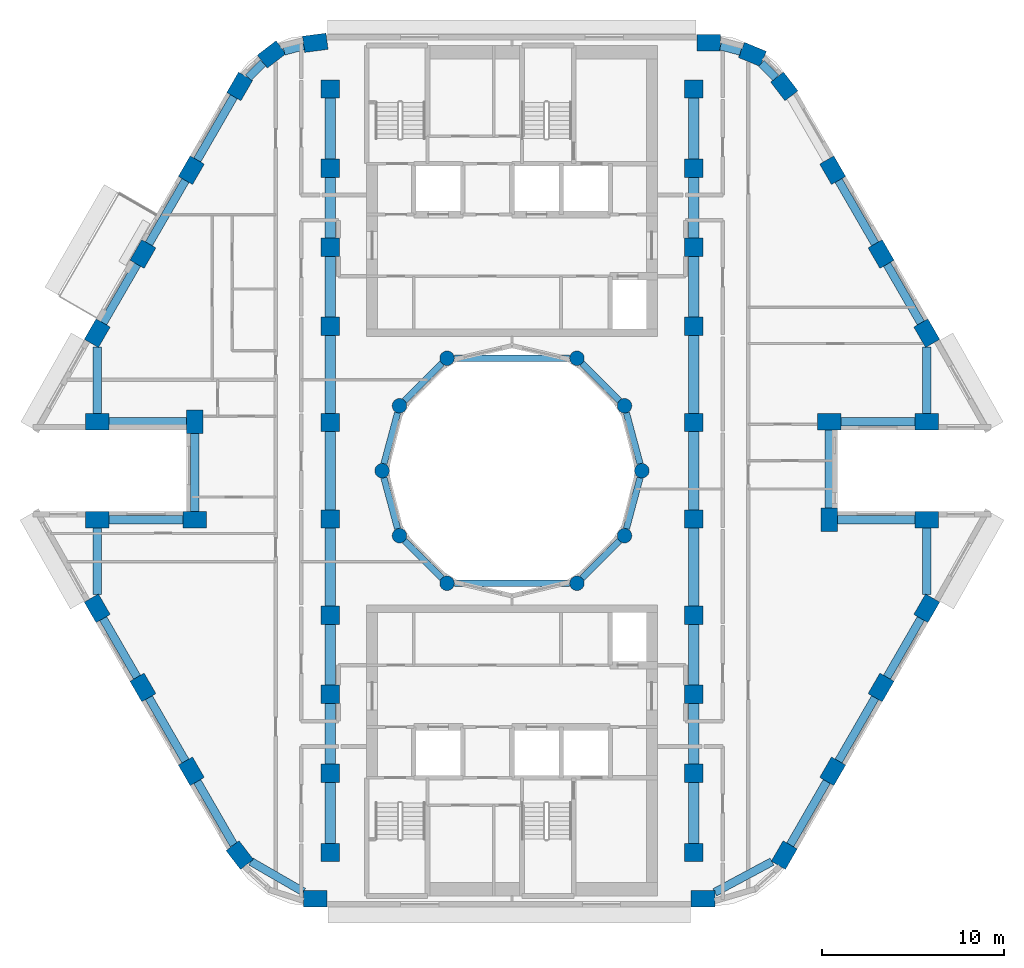
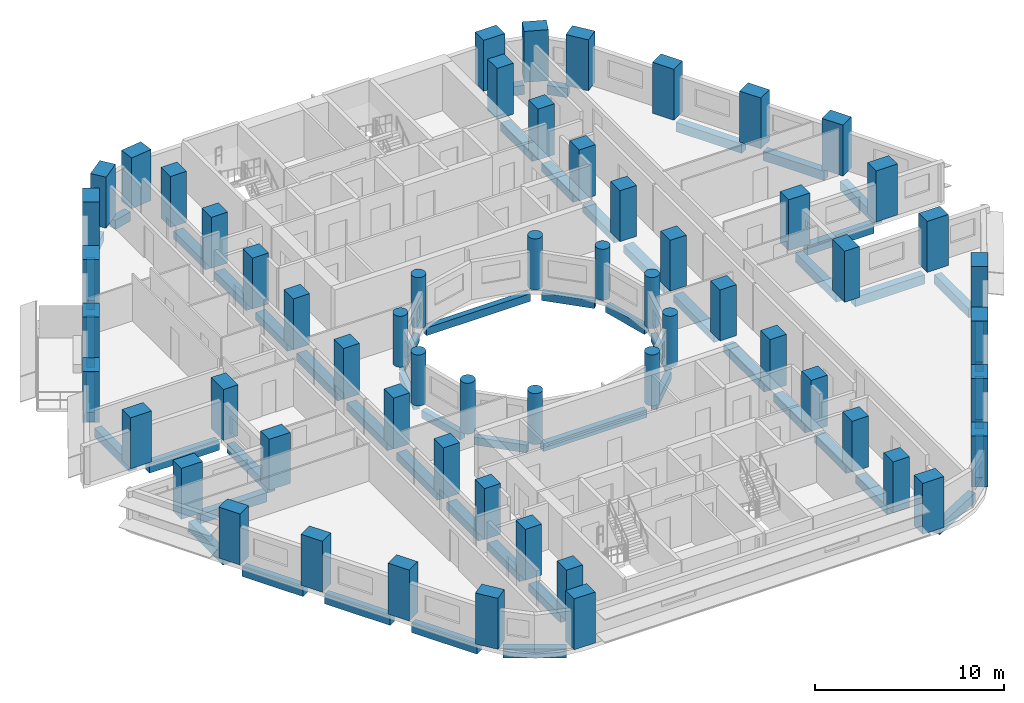
# One storey, part 1 of 13: 60 columns, 55 beams.
"""IFC4 building model written with IfcOpenShell, lengths in metres."""

from ifc_helpers import new_model, si_unit, direction, frame, origin, origin_2d, place, context, subcontext, project, spatial, rectangle, circle, extrude, material, material_profile, profile_set, type_object, element, save


model = new_model("IFC4")

# Units and contexts
model_context = context("Model", 3, precision=1e-05, world=origin(), true_north=direction((0.0, 1.0)))
body_context = subcontext(model_context, "Body", "Model", "MODEL_VIEW")
ifc_project = project(units=[si_unit("LENGTHUNIT", "METRE"), si_unit("AREAUNIT", "SQUARE_METRE"), si_unit("VOLUMEUNIT", "CUBIC_METRE"), si_unit("PLANEANGLEUNIT", "RADIAN"), si_unit("MASSUNIT", "GRAM", prefix="KILO")], contexts=[model_context])

# Site, building, storey
site_placement = place(None, origin())
site = spatial("IfcSite", under=ifc_project, at=site_placement, CompositionType="ELEMENT")
building_placement = place(site_placement, origin())
building = spatial("IfcBuilding", under=site, at=building_placement, Name="Nakaniwa Court", CompositionType="ELEMENT")
storey_placement = place(building_placement, frame((0.0, 0.0, 153.60009765625)))
storey = spatial("IfcBuildingStorey", under=building, at=storey_placement, Name="L40", CompositionType="ELEMENT", Elevation=153.60009765625)

# Columns
ifc_material = material(Name="Concrete C80/100", Category="concrete")
ifc_material_profile_1 = material_profile(ifc_material, rectangle(XDim=1.0, YDim=1.0, at=origin_2d()), Name="Concrete C80/100 RC 1000x1000 spine column")
ifc_profile_set_1 = profile_set([ifc_material_profile_1], Name="Concrete C80/100")
column_type_1 = type_object("IfcColumnType", Name="Concrete C80/100 RC 1000x1000 spine column", PredefinedType="COLUMN", material=ifc_profile_set_1)
for number, where, z_axis, x_axis, name in (
    (1, (90.0, 59.0, 0.0), (0.0, 0.0, 1.0), (0.0, 1.0, 0.0), "COLUMN CS-01"),
    (2, (90.0, 63.35009765625, 0.0), (0.0, 0.0, 1.0), (0.0, 1.0, 0.0), "COLUMN CS-02"),
    (3, (90.0, 67.699951171875, 0.0), (0.0, 0.0, 1.0), (0.0, 1.0, 0.0), "COLUMN CS-03"),
    (4, (90.0, 72.050048828125, 0.0), (0.0, 0.0, 1.0), (0.0, 1.0, 0.0), "COLUMN CS-04"),
    (5, (90.0, 77.35009765625, 0.0), (0.0, 0.0, 1.0), (0.0, 1.0, 0.0), "COLUMN CS-05"),
    (6, (90.0, 82.64990234375, 0.0), (0.0, 0.0, 1.0), (0.0, 1.0, 0.0), "COLUMN CS-06"),
    (7, (90.0, 87.949951171875, 0.0), (0.0, 0.0, 1.0), (0.0, 1.0, 0.0), "COLUMN CS-07"),
    (8, (90.0, 92.300048828125, 0.0), (0.0, 0.0, 1.0), (0.0, 1.0, 0.0), "COLUMN CS-08"),
    (9, (90.0, 96.64990234375, 0.0), (0.0, 0.0, 1.0), (0.0, 1.0, 0.0), "COLUMN CS-09"),
    (10, (90.0, 101.0, 0.0), (0.0, 0.0, 1.0), (0.0, 1.0, 0.0), "COLUMN CS-10"),
    (11, (70.0, 101.0, 0.0), (0.0, 0.0, 1.0), (0.0, -1.0, 0.0), "COLUMN CS-11"),
    (12, (70.0, 96.64990234375, 0.0), (0.0, 0.0, 1.0), (0.0, -1.0, 0.0), "COLUMN CS-12"),
    (13, (70.0, 92.300048828125, 0.0), (0.0, 0.0, 1.0), (0.0, -1.0, 0.0), "COLUMN CS-13"),
    (14, (70.0, 87.949951171875, 0.0), (0.0, 0.0, 1.0), (0.0, -1.0, 0.0), "COLUMN CS-14"),
    (15, (70.0, 82.64990234375, 0.0), (0.0, 0.0, 1.0), (0.0, -1.0, 0.0), "COLUMN CS-15"),
    (16, (70.0, 77.35009765625, 0.0), (0.0, 0.0, 1.0), (0.0, -1.0, 0.0), "COLUMN CS-16"),
    (17, (70.0, 72.050048828125, 0.0), (0.0, 0.0, 1.0), (0.0, -1.0, 0.0), "COLUMN CS-17"),
    (18, (70.0, 67.699951171875, 0.0), (0.0, 0.0, 1.0), (0.0, -1.0, 0.0), "COLUMN CS-18"),
    (19, (70.0, 63.35009765625, 0.0), (0.0, 0.0, 1.0), (0.0, -1.0, 0.0), "COLUMN CS-19"),
    (20, (70.0, 59.0, 0.0), (0.0, 0.0, 1.0), (0.0, -1.0, 0.0), "COLUMN CS-20"),
):
    element("IfcColumn", number, at=place(storey_placement, frame(where, z_axis=z_axis, x_axis=x_axis)), inside=storey, type_object=column_type_1, Name=name, PredefinedType="COLUMN", context=body_context, shape_type="SweptSolid", body=[
        extrude(rectangle(XDim=1.0, YDim=1.0, at=origin_2d()), origin(), (0.0, 0.0, 1.0), 3.2998046875),
    ])
ifc_material_profile_2 = material_profile(ifc_material, rectangle(XDim=1.300048828125, YDim=0.89990234375, at=origin_2d()), Name="Concrete C80/100 RC 1300x900 perimeter column")
ifc_profile_set_2 = profile_set([ifc_material_profile_2], Name="Concrete C80/100")
column_type_2 = type_object("IfcColumnType", Name="Concrete C80/100 RC 1300x900 perimeter column", PredefinedType="COLUMN", material=ifc_profile_set_2)
for number, where, z_axis, x_axis, name in (
    (21, (69.17529296875, 103.550048828125, 0.0), (0.0, 0.0, 1.0), (-0.991442583111, -0.130543496177, 0.0), "COLUMN CO-01"),
    (22, (66.772705078125, 102.91015625, 0.0), (0.0, 0.0, 1.0), (-0.793363965062, -0.608747582288, 0.0), "COLUMN CO-02"),
    (23, (65.017578125, 101.1494140625, 0.0), (0.0, 0.0, 1.0), (-0.5, -0.866025403784, 0.0), "COLUMN CO-03"),
    (24, (62.3544921875, 96.537109375, 0.0), (0.0, 0.0, 1.0), (-0.5, -0.866025403784, 0.0), "COLUMN CO-04"),
    (25, (59.691650390625, 91.9248046875, 0.0), (0.0, 0.0, 1.0), (-0.5, -0.866025403784, 0.0), "COLUMN CO-05"),
    (26, (57.177001953125, 87.569580078125, 0.0), (0.0, 0.0, 1.0), (-0.5, -0.866025403784, 0.0), "COLUMN CO-06"),
    (27, (57.177001953125, 82.699951171875, 0.0), (0.0, 0.0, 1.0), (1.0, 0.0, 0.0), "COLUMN CO-08"),
    (28, (62.54150390625, 82.699951171875, 0.0), (0.0, 0.0, 1.0), (0.0, -1.0, 0.0), "COLUMN CO-09"),
    (29, (62.54150390625, 77.300048828125, 0.0), (0.0, 0.0, 1.0), (-1.0, 0.0, 0.0), "COLUMN CO-10"),
    (30, (57.177001953125, 77.300048828125, 0.0), (0.0, 0.0, 1.0), (-1.0, 0.0, 0.0), "COLUMN CO-11"),
    (31, (57.177001953125, 72.430419921875, 0.0), (0.0, 0.0, 1.0), (0.5, -0.866025403784, 0.0), "COLUMN CO-13"),
    (32, (59.691650390625, 68.0751953125, 0.0), (0.0, 0.0, 1.0), (0.5, -0.866025403784, 0.0), "COLUMN CO-14"),
    (33, (62.3544921875, 63.462890625, 0.0), (0.0, 0.0, 1.0), (0.5, -0.866025403784, 0.0), "COLUMN CO-15"),
    (34, (65.017578125, 58.8505859375, 0.0), (0.0, 0.0, 1.0), (0.608761429009, -0.793353340291, 0.0), "COLUMN CO-16"),
    (35, (69.17529296875, 56.449951171875, 0.0), (0.0, 0.0, 1.0), (1.0, 0.0, 0.0), "COLUMN CO-17"),
    (36, (90.507080078125, 56.449951171875, 0.0), (0.0, 0.0, 1.0), (1.0, 0.0, 0.0), "COLUMN CO-21"),
    (37, (94.982421875, 58.8505859375, 0.0), (0.0, 0.0, 1.0), (0.5, 0.866025403784, 0.0), "COLUMN CO-22"),
    (38, (97.6455078125, 63.462890625, 0.0), (0.0, 0.0, 1.0), (0.5, 0.866025403784, 0.0), "COLUMN CO-23"),
    (39, (100.308349609375, 68.0751953125, 0.0), (0.0, 0.0, 1.0), (0.5, 0.866025403784, 0.0), "COLUMN CO-24"),
    (40, (102.822998046875, 72.430419921875, 0.0), (0.0, 0.0, 1.0), (0.5, 0.866025403784, 0.0), "COLUMN CO-25"),
    (41, (102.822998046875, 77.300048828125, 0.0), (0.0, 0.0, 1.0), (-1.0, 0.0, 0.0), "COLUMN CO-27"),
    (42, (97.45849609375, 77.300048828125, 0.0), (0.0, 0.0, 1.0), (0.0, 1.0, 0.0), "COLUMN CO-28"),
    (43, (97.45849609375, 82.699951171875, 0.0), (0.0, 0.0, 1.0), (1.0, 0.0, 0.0), "COLUMN CO-29"),
    (44, (102.822998046875, 82.699951171875, 0.0), (0.0, 0.0, 1.0), (1.0, 0.0, 0.0), "COLUMN CO-30"),
    (45, (102.822998046875, 87.569580078125, 0.0), (0.0, 0.0, 1.0), (-0.5, 0.866025403784, 0.0), "COLUMN CO-32"),
    (46, (100.308349609375, 91.9248046875, 0.0), (0.0, 0.0, 1.0), (-0.5, 0.866025403784, 0.0), "COLUMN CO-33"),
    (47, (97.6455078125, 96.537109375, 0.0), (0.0, 0.0, 1.0), (-0.5, 0.866025403784, 0.0), "COLUMN CO-34"),
    (48, (94.982421875, 101.1494140625, 0.0), (0.0, 0.0, 1.0), (-0.608761429009, 0.793353340291, 0.0), "COLUMN CO-35"),
    (49, (93.227294921875, 102.91015625, 0.0), (0.0, 0.0, 1.0), (-0.923879532511, 0.382683432365, 0.0), "COLUMN CO-36"),
    (50, (90.82470703125, 103.550048828125, 0.0), (0.0, 0.0, 1.0), (-1.0, 0.0, 0.0), "COLUMN CO-37"),
):
    element("IfcColumn", number, at=place(storey_placement, frame(where, z_axis=z_axis, x_axis=x_axis)), inside=storey, type_object=column_type_2, Name=name, PredefinedType="COLUMN", context=body_context, shape_type="SweptSolid", body=[
        extrude(rectangle(XDim=1.300048828125, YDim=0.89990234375, at=origin_2d()), origin(), (0.0, 0.0, 1.0), 3.2998046875),
    ])
ifc_material_profile_3 = material_profile(ifc_material, circle(Radius=0.39990234375, at=origin_2d()), Name="Concrete C80/100 RC D800 inner ring column")
ifc_profile_set_3 = profile_set([ifc_material_profile_3], Name="Concrete C80/100")
column_type_3 = type_object("IfcColumnType", Name="Concrete C80/100 RC D800 inner ring column", PredefinedType="COLUMN", material=ifc_profile_set_3)
for number, where, z_axis, x_axis, name in (
    (51, (87.14990234375, 80.0, 0.0), (0.0, 0.0, 1.0), (0.0, 1.0, 0.0), "COLUMN CI-01"),
    (52, (86.192138671875, 83.574951171875, 0.0), (0.0, 0.0, 1.0), (-0.5, 0.866025403784, 0.0), "COLUMN CI-02"),
    (53, (83.574951171875, 86.192138671875, 0.0), (0.0, 0.0, 1.0), (-0.866025403784, 0.5, 0.0), "COLUMN CI-03"),
    (54, (76.425048828125, 86.192138671875, 0.0), (0.0, 0.0, 1.0), (-0.866025403784, -0.5, 0.0), "COLUMN CI-05"),
    (55, (73.807861328125, 83.574951171875, 0.0), (0.0, 0.0, 1.0), (-0.5, -0.866025403784, 0.0), "COLUMN CI-06"),
    (56, (72.85009765625, 80.0, 0.0), (0.0, 0.0, 1.0), (0.0, -1.0, 0.0), "COLUMN CI-07"),
    (57, (73.807861328125, 76.425048828125, 0.0), (0.0, 0.0, 1.0), (0.5, -0.866025403784, 0.0), "COLUMN CI-08"),
    (58, (76.425048828125, 73.807861328125, 0.0), (0.0, 0.0, 1.0), (0.866025403784, -0.5, 0.0), "COLUMN CI-09"),
    (59, (83.574951171875, 73.807861328125, 0.0), (0.0, 0.0, 1.0), (0.866025403784, 0.5, 0.0), "COLUMN CI-11"),
    (60, (86.192138671875, 76.425048828125, 0.0), (0.0, 0.0, 1.0), (0.5, 0.866025403784, 0.0), "COLUMN CI-12"),
):
    element("IfcColumn", number, at=place(storey_placement, frame(where, z_axis=z_axis, x_axis=x_axis)), inside=storey, type_object=column_type_3, Name=name, PredefinedType="COLUMN", context=body_context, shape_type="SweptSolid", body=[
        extrude(circle(Radius=0.39990234375, at=origin_2d()), origin(), (0.0, 0.0, 1.0), 3.2998046875),
    ])

# Beams
ifc_material_profile_4 = material_profile(ifc_material, rectangle(XDim=0.35009765625, YDim=0.5, at=origin_2d()), Name="Concrete C80/100 RC 350x500 ring beam")
ifc_profile_set_4 = profile_set([ifc_material_profile_4], Name="Concrete C80/100")
beam_type_1 = type_object("IfcBeamType", Name="Concrete C80/100 RC 350x500 ring beam", PredefinedType="BEAM", material=ifc_profile_set_4)
beam_1_placement = place(storey_placement, frame((87.04638671875, 80.386474609375, -0.525146484375), z_axis=(-0.258778150207, 0.965936783115, 0.0), x_axis=(-0.965936783115, -0.258778150207, 0.0)))
element("IfcBeam", 61, at=beam_1_placement, inside=storey, type_object=beam_type_1, Name="RING BEAM", PredefinedType="BEAM", context=body_context, shape_type="SweptSolid", body=[
    extrude(rectangle(XDim=0.35009765625, YDim=0.5, at=origin_2d()), origin(), (0.0, 0.0, 1.0), 2.901123046875),
])
beam_2_placement = place(storey_placement, frame((85.9091796875, 83.85791015625, -0.525146484375), z_axis=(-0.707106781187, 0.707106781187, 0.0), x_axis=(-0.707106781187, -0.707106781187, 0.0)))
element("IfcBeam", 62, at=beam_2_placement, inside=storey, type_object=beam_type_1, Name="RING BEAM", PredefinedType="BEAM", context=body_context, shape_type="SweptSolid", body=[
    extrude(rectangle(XDim=0.35009765625, YDim=0.5, at=origin_2d()), origin(), (0.0, 0.0, 1.0), 2.90087890625),
])
beam_3_placement = place(storey_placement, frame((83.175048828125, 86.192138671875, -0.525146484375), z_axis=(-1.0, 0.0, 0.0), x_axis=(0.0, -1.0, 0.0)))
element("IfcBeam", 63, at=beam_3_placement, inside=storey, type_object=beam_type_1, Name="RING BEAM", PredefinedType="BEAM", context=body_context, shape_type="SweptSolid", body=[
    extrude(rectangle(XDim=0.35009765625, YDim=0.5, at=origin_2d()), origin(), (0.0, 0.0, 1.0), 6.35009765625),
])
beam_4_placement = place(storey_placement, frame((76.14208984375, 85.9091796875, -0.525146484375), z_axis=(-0.707106781187, -0.707106781187, 0.0), x_axis=(0.707106781187, -0.707106781187, 0.0)))
element("IfcBeam", 64, at=beam_4_placement, inside=storey, type_object=beam_type_1, Name="RING BEAM", PredefinedType="BEAM", context=body_context, shape_type="SweptSolid", body=[
    extrude(rectangle(XDim=0.35009765625, YDim=0.5, at=origin_2d()), origin(), (0.0, 0.0, 1.0), 2.90087890625),
])
for number, where, z_axis, x_axis, name in (
    (65, (73.704345703125, 83.188720703125, -0.525146484375), (-0.258778150207, -0.965936783115, 0.0), (0.965936783115, -0.258778150207, 0.0), "RING BEAM"),
    (66, (72.95361328125, 79.613525390625, -0.525146484375), (0.258778150207, -0.965936783115, 0.0), (0.965936783115, 0.258778150207, 0.0), "RING BEAM"),
):
    element("IfcBeam", number, at=place(storey_placement, frame(where, z_axis=z_axis, x_axis=x_axis)), inside=storey, type_object=beam_type_1, Name=name, PredefinedType="BEAM", context=body_context, shape_type="SweptSolid", body=[
        extrude(rectangle(XDim=0.35009765625, YDim=0.5, at=origin_2d()), origin(), (0.0, 0.0, 1.0), 2.901123046875),
    ])
beam_5_placement = place(storey_placement, frame((74.0908203125, 76.14208984375, -0.525146484375), z_axis=(0.707106781187, -0.707106781187, 0.0), x_axis=(0.707106781187, 0.707106781187, 0.0)))
element("IfcBeam", 67, at=beam_5_placement, inside=storey, type_object=beam_type_1, Name="RING BEAM", PredefinedType="BEAM", context=body_context, shape_type="SweptSolid", body=[
    extrude(rectangle(XDim=0.35009765625, YDim=0.5, at=origin_2d()), origin(), (0.0, 0.0, 1.0), 2.90087890625),
])
beam_6_placement = place(storey_placement, frame((76.824951171875, 73.807861328125, -0.525146484375), z_axis=(1.0, 0.0, 0.0), x_axis=(0.0, 1.0, 0.0)))
element("IfcBeam", 68, at=beam_6_placement, inside=storey, type_object=beam_type_1, Name="RING BEAM", PredefinedType="BEAM", context=body_context, shape_type="SweptSolid", body=[
    extrude(rectangle(XDim=0.35009765625, YDim=0.5, at=origin_2d()), origin(), (0.0, 0.0, 1.0), 6.35009765625),
])
beam_7_placement = place(storey_placement, frame((83.85791015625, 74.0908203125, -0.525146484375), z_axis=(0.707106781187, 0.707106781187, 0.0), x_axis=(-0.707106781187, 0.707106781187, 0.0)))
element("IfcBeam", 69, at=beam_7_placement, inside=storey, type_object=beam_type_1, Name="RING BEAM", PredefinedType="BEAM", context=body_context, shape_type="SweptSolid", body=[
    extrude(rectangle(XDim=0.35009765625, YDim=0.5, at=origin_2d()), origin(), (0.0, 0.0, 1.0), 2.90087890625),
])
beam_8_placement = place(storey_placement, frame((86.295654296875, 76.811279296875, -0.525146484375), z_axis=(0.258778150207, 0.965936783115, 0.0), x_axis=(-0.965936783115, 0.258778150207, 0.0)))
element("IfcBeam", 70, at=beam_8_placement, inside=storey, type_object=beam_type_1, Name="RING BEAM", PredefinedType="BEAM", context=body_context, shape_type="SweptSolid", body=[
    extrude(rectangle(XDim=0.35009765625, YDim=0.5, at=origin_2d()), origin(), (0.0, 0.0, 1.0), 2.901123046875),
])
ifc_material_profile_5 = material_profile(ifc_material, rectangle(XDim=0.449951171875, YDim=0.60009765625, at=origin_2d()), Name="Concrete C80/100 RC 450x600 spandrel beam")
ifc_profile_set_5 = profile_set([ifc_material_profile_5], Name="Concrete C80/100")
beam_type_2 = type_object("IfcBeamType", Name="Concrete C80/100 RC 450x600 spandrel beam", PredefinedType="BEAM", material=ifc_profile_set_5)
beam_9_placement = place(storey_placement, frame((68.5419921875, 103.38134765625, -0.5751953125), z_axis=(-0.966321172043, -0.257339061284, 0.0), x_axis=(0.257339061284, -0.966321172043, 0.0)))
element("IfcBeam", 71, at=beam_9_placement, inside=storey, type_object=beam_type_2, Name="SPANDREL BEAM", PredefinedType="BEAM", context=body_context, shape_type="SweptSolid", body=[
    extrude(rectangle(XDim=0.449951171875, YDim=0.60009765625, at=origin_2d()), origin(), (0.0, 0.0, 1.0), 1.126953125),
])
beam_10_placement = place(storey_placement, frame((66.309814453125, 102.44580078125, -0.5751953125), z_axis=(-0.706051557188, -0.708160432807, 0.0), x_axis=(0.708160432807, -0.706051557188, 0.0)))
element("IfcBeam", 72, at=beam_10_placement, inside=storey, type_object=beam_type_2, Name="SPANDREL BEAM", PredefinedType="BEAM", context=body_context, shape_type="SweptSolid", body=[
    extrude(rectangle(XDim=0.449951171875, YDim=0.60009765625, at=origin_2d()), origin(), (0.0, 0.0, 1.0), 1.15771484375),
])
for number, where, z_axis, x_axis, name in (
    (73, (64.6923828125, 100.586669921875, -0.5751953125), (-0.499993669216, -0.866029058833, 0.0), (0.866029058833, -0.499993669216, 0.0), "SPANDREL BEAM"),
    (74, (62.029541015625, 95.97412109375, -0.5751953125), (-0.499993669216, -0.866029058833, 0.0), (0.866029058833, -0.499993669216, 0.0), "SPANDREL BEAM"),
):
    element("IfcBeam", number, at=place(storey_placement, frame(where, z_axis=z_axis, x_axis=x_axis)), inside=storey, type_object=beam_type_2, Name=name, PredefinedType="BEAM", context=body_context, shape_type="SweptSolid", body=[
        extrude(rectangle(XDim=0.449951171875, YDim=0.60009765625, at=origin_2d()), origin(), (0.0, 0.0, 1.0), 4.02587890625),
    ])
beam_11_placement = place(storey_placement, frame((59.36669921875, 91.36181640625, -0.5751953125), z_axis=(-0.50001905207, -0.866014403787, 0.0), x_axis=(0.866014403787, -0.50001905207, 0.0)))
element("IfcBeam", 75, at=beam_11_placement, inside=storey, type_object=beam_type_2, Name="SPANDREL BEAM", PredefinedType="BEAM", context=body_context, shape_type="SweptSolid", body=[
    extrude(rectangle(XDim=0.449951171875, YDim=0.60009765625, at=origin_2d()), origin(), (0.0, 0.0, 1.0), 3.728759765625),
])
beam_12_placement = place(storey_placement, frame((57.177001953125, 86.819091796875, -0.5751953125), z_axis=(0.0, -1.0, 0.0), x_axis=(1.0, 0.0, 0.0)))
element("IfcBeam", 76, at=beam_12_placement, inside=storey, type_object=beam_type_2, Name="SPANDREL BEAM", PredefinedType="BEAM", context=body_context, shape_type="SweptSolid", body=[
    extrude(rectangle(XDim=0.449951171875, YDim=0.60009765625, at=origin_2d()), origin(), (0.0, 0.0, 1.0), 3.669189453125),
])
beam_13_placement = place(storey_placement, frame((57.8271484375, 82.699951171875, -0.5751953125), z_axis=(1.0, 0.0, 0.0), x_axis=(0.0, 1.0, 0.0)))
element("IfcBeam", 77, at=beam_13_placement, inside=storey, type_object=beam_type_2, Name="SPANDREL BEAM", PredefinedType="BEAM", context=body_context, shape_type="SweptSolid", body=[
    extrude(rectangle(XDim=0.449951171875, YDim=0.60009765625, at=origin_2d()), origin(), (0.0, 0.0, 1.0), 4.264404296875),
])
beam_14_placement = place(storey_placement, frame((62.54150390625, 82.050048828125, -0.5751953125), z_axis=(0.0, -1.0, 0.0), x_axis=(1.0, 0.0, 0.0)))
element("IfcBeam", 78, at=beam_14_placement, inside=storey, type_object=beam_type_2, Name="SPANDREL BEAM", PredefinedType="BEAM", context=body_context, shape_type="SweptSolid", body=[
    extrude(rectangle(XDim=0.449951171875, YDim=0.60009765625, at=origin_2d()), origin(), (0.0, 0.0, 1.0), 4.300048828125),
])
beam_15_placement = place(storey_placement, frame((61.8916015625, 77.300048828125, -0.5751953125), z_axis=(-1.0, 0.0, 0.0), x_axis=(0.0, -1.0, 0.0)))
element("IfcBeam", 79, at=beam_15_placement, inside=storey, type_object=beam_type_2, Name="SPANDREL BEAM", PredefinedType="BEAM", context=body_context, shape_type="SweptSolid", body=[
    extrude(rectangle(XDim=0.449951171875, YDim=0.60009765625, at=origin_2d()), origin(), (0.0, 0.0, 1.0), 4.064453125),
])
beam_16_placement = place(storey_placement, frame((57.177001953125, 76.85009765625, -0.5751953125), z_axis=(0.0, -1.0, 0.0), x_axis=(1.0, 0.0, 0.0)))
element("IfcBeam", 80, at=beam_16_placement, inside=storey, type_object=beam_type_2, Name="SPANDREL BEAM", PredefinedType="BEAM", context=body_context, shape_type="SweptSolid", body=[
    extrude(rectangle(XDim=0.449951171875, YDim=0.60009765625, at=origin_2d()), origin(), (0.0, 0.0, 1.0), 3.669189453125),
])
beam_17_placement = place(storey_placement, frame((57.502197265625, 71.867431640625, -0.5751953125), z_axis=(0.50001905207, -0.866014403787, 0.0), x_axis=(0.866014403787, 0.50001905207, 0.0)))
element("IfcBeam", 81, at=beam_17_placement, inside=storey, type_object=beam_type_2, Name="SPANDREL BEAM", PredefinedType="BEAM", context=body_context, shape_type="SweptSolid", body=[
    extrude(rectangle(XDim=0.449951171875, YDim=0.60009765625, at=origin_2d()), origin(), (0.0, 0.0, 1.0), 3.728759765625),
])
beam_18_placement = place(storey_placement, frame((60.0166015625, 67.512451171875, -0.5751953125), z_axis=(0.499993669216, -0.866029058833, 0.0), x_axis=(0.866029058833, 0.499993669216, 0.0)))
element("IfcBeam", 82, at=beam_18_placement, inside=storey, type_object=beam_type_2, Name="SPANDREL BEAM", PredefinedType="BEAM", context=body_context, shape_type="SweptSolid", body=[
    extrude(rectangle(XDim=0.449951171875, YDim=0.60009765625, at=origin_2d()), origin(), (0.0, 0.0, 1.0), 4.02587890625),
])
beam_19_placement = place(storey_placement, frame((62.679443359375, 62.89990234375, -0.5751953125), z_axis=(0.500018573463, -0.866014680125, 0.0), x_axis=(0.866014680125, 0.500018573463, 0.0)))
element("IfcBeam", 83, at=beam_19_placement, inside=storey, type_object=beam_type_2, Name="SPANDREL BEAM", PredefinedType="BEAM", context=body_context, shape_type="SweptSolid", body=[
    extrude(rectangle(XDim=0.449951171875, YDim=0.60009765625, at=origin_2d()), origin(), (0.0, 0.0, 1.0), 4.020263671875),
])
beam_20_placement = place(storey_placement, frame((65.626708984375, 58.498779296875, -0.5751953125), z_axis=(0.866021605644, -0.500006578514, 0.0), x_axis=(0.500006578514, 0.866021605644, 0.0)))
element("IfcBeam", 84, at=beam_20_placement, inside=storey, type_object=beam_type_2, Name="SPANDREL BEAM", PredefinedType="BEAM", context=body_context, shape_type="SweptSolid", body=[
    extrude(rectangle(XDim=0.449951171875, YDim=0.60009765625, at=origin_2d()), origin(), (0.0, 0.0, 1.0), 3.34716796875),
])
beam_21_placement = place(storey_placement, frame((91.156982421875, 56.798583984375, -0.5751953125), z_axis=(0.881239336512, 0.472670320397, 0.0), x_axis=(-0.472670320397, 0.881239336512, 0.0)))
element("IfcBeam", 85, at=beam_21_placement, inside=storey, type_object=beam_type_2, Name="SPANDREL BEAM", PredefinedType="BEAM", context=body_context, shape_type="SweptSolid", body=[
    extrude(rectangle(XDim=0.449951171875, YDim=0.60009765625, at=origin_2d()), origin(), (0.0, 0.0, 1.0), 3.576416015625),
])
for number, where, z_axis, x_axis, name in (
    (86, (95.3076171875, 59.413330078125, -0.5751953125), (0.499993669216, 0.866029058833, 0.0), (-0.866029058833, 0.499993669216, 0.0), "SPANDREL BEAM"),
    (87, (97.970458984375, 64.02587890625, -0.5751953125), (0.499993669216, 0.866029058833, 0.0), (-0.866029058833, 0.499993669216, 0.0), "SPANDREL BEAM"),
):
    element("IfcBeam", number, at=place(storey_placement, frame(where, z_axis=z_axis, x_axis=x_axis)), inside=storey, type_object=beam_type_2, Name=name, PredefinedType="BEAM", context=body_context, shape_type="SweptSolid", body=[
        extrude(rectangle(XDim=0.449951171875, YDim=0.60009765625, at=origin_2d()), origin(), (0.0, 0.0, 1.0), 4.02587890625),
    ])
beam_22_placement = place(storey_placement, frame((100.63330078125, 68.63818359375, -0.5751953125), z_axis=(0.50001905207, 0.866014403787, 0.0), x_axis=(-0.866014403787, 0.50001905207, 0.0)))
element("IfcBeam", 88, at=beam_22_placement, inside=storey, type_object=beam_type_2, Name="SPANDREL BEAM", PredefinedType="BEAM", context=body_context, shape_type="SweptSolid", body=[
    extrude(rectangle(XDim=0.449951171875, YDim=0.60009765625, at=origin_2d()), origin(), (0.0, 0.0, 1.0), 3.728759765625),
])
beam_23_placement = place(storey_placement, frame((102.822998046875, 73.180908203125, -0.5751953125), z_axis=(0.0, 1.0, 0.0), x_axis=(-1.0, 0.0, 0.0)))
element("IfcBeam", 89, at=beam_23_placement, inside=storey, type_object=beam_type_2, Name="SPANDREL BEAM", PredefinedType="BEAM", context=body_context, shape_type="SweptSolid", body=[
    extrude(rectangle(XDim=0.449951171875, YDim=0.60009765625, at=origin_2d()), origin(), (0.0, 0.0, 1.0), 3.669189453125),
])
beam_24_placement = place(storey_placement, frame((102.1728515625, 77.300048828125, -0.5751953125), z_axis=(-1.0, 0.0, 0.0), x_axis=(0.0, -1.0, 0.0)))
element("IfcBeam", 90, at=beam_24_placement, inside=storey, type_object=beam_type_2, Name="SPANDREL BEAM", PredefinedType="BEAM", context=body_context, shape_type="SweptSolid", body=[
    extrude(rectangle(XDim=0.449951171875, YDim=0.60009765625, at=origin_2d()), origin(), (0.0, 0.0, 1.0), 4.264404296875),
])
beam_25_placement = place(storey_placement, frame((97.45849609375, 77.949951171875, -0.5751953125), z_axis=(0.0, 1.0, 0.0), x_axis=(-1.0, 0.0, 0.0)))
element("IfcBeam", 91, at=beam_25_placement, inside=storey, type_object=beam_type_2, Name="SPANDREL BEAM", PredefinedType="BEAM", context=body_context, shape_type="SweptSolid", body=[
    extrude(rectangle(XDim=0.449951171875, YDim=0.60009765625, at=origin_2d()), origin(), (0.0, 0.0, 1.0), 4.300048828125),
])
beam_26_placement = place(storey_placement, frame((98.1083984375, 82.699951171875, -0.5751953125), z_axis=(1.0, 0.0, 0.0), x_axis=(0.0, 1.0, 0.0)))
element("IfcBeam", 92, at=beam_26_placement, inside=storey, type_object=beam_type_2, Name="SPANDREL BEAM", PredefinedType="BEAM", context=body_context, shape_type="SweptSolid", body=[
    extrude(rectangle(XDim=0.449951171875, YDim=0.60009765625, at=origin_2d()), origin(), (0.0, 0.0, 1.0), 4.064453125),
])
beam_27_placement = place(storey_placement, frame((102.822998046875, 83.14990234375, -0.5751953125), z_axis=(0.0, 1.0, 0.0), x_axis=(-1.0, 0.0, 0.0)))
element("IfcBeam", 93, at=beam_27_placement, inside=storey, type_object=beam_type_2, Name="SPANDREL BEAM", PredefinedType="BEAM", context=body_context, shape_type="SweptSolid", body=[
    extrude(rectangle(XDim=0.449951171875, YDim=0.60009765625, at=origin_2d()), origin(), (0.0, 0.0, 1.0), 3.669189453125),
])
beam_28_placement = place(storey_placement, frame((102.497802734375, 88.132568359375, -0.5751953125), z_axis=(-0.50001905207, 0.866014403787, 0.0), x_axis=(-0.866014403787, -0.50001905207, 0.0)))
element("IfcBeam", 94, at=beam_28_placement, inside=storey, type_object=beam_type_2, Name="SPANDREL BEAM", PredefinedType="BEAM", context=body_context, shape_type="SweptSolid", body=[
    extrude(rectangle(XDim=0.449951171875, YDim=0.60009765625, at=origin_2d()), origin(), (0.0, 0.0, 1.0), 3.728759765625),
])
beam_29_placement = place(storey_placement, frame((99.9833984375, 92.487548828125, -0.5751953125), z_axis=(-0.499993669216, 0.866029058833, 0.0), x_axis=(-0.866029058833, -0.499993669216, 0.0)))
element("IfcBeam", 95, at=beam_29_placement, inside=storey, type_object=beam_type_2, Name="SPANDREL BEAM", PredefinedType="BEAM", context=body_context, shape_type="SweptSolid", body=[
    extrude(rectangle(XDim=0.449951171875, YDim=0.60009765625, at=origin_2d()), origin(), (0.0, 0.0, 1.0), 4.02587890625),
])
beam_30_placement = place(storey_placement, frame((94.519775390625, 101.61376953125, -0.5751953125), z_axis=(-0.706022429805, 0.708189472254, 0.0), x_axis=(-0.708189472254, -0.706022429805, 0.0)))
element("IfcBeam", 96, at=beam_30_placement, inside=storey, type_object=beam_type_2, Name="SPANDREL BEAM", PredefinedType="BEAM", context=body_context, shape_type="SweptSolid", body=[
    extrude(rectangle(XDim=0.449951171875, YDim=0.60009765625, at=origin_2d()), origin(), (0.0, 0.0, 1.0), 1.126708984375),
])
beam_31_placement = place(storey_placement, frame((92.593505859375, 103.078857421875, -0.5751953125), z_axis=(-0.966294404875, 0.257439552335, 0.0), x_axis=(-0.257439552335, -0.966294404875, 0.0)))
element("IfcBeam", 97, at=beam_31_placement, inside=storey, type_object=beam_type_2, Name="SPANDREL BEAM", PredefinedType="BEAM", context=body_context, shape_type="SweptSolid", body=[
    extrude(rectangle(XDim=0.449951171875, YDim=0.60009765625, at=origin_2d()), origin(), (0.0, 0.0, 1.0), 1.157958984375),
])
ifc_material_profile_6 = material_profile(ifc_material, rectangle(XDim=0.60009765625, YDim=0.5, at=origin_2d()), Name="Concrete C80/100 RC 600x500 ring beam")
ifc_profile_set_6 = profile_set([ifc_material_profile_6], Name="Concrete C80/100")
beam_type_3 = type_object("IfcBeamType", Name="Concrete C80/100 RC 600x500 ring beam", PredefinedType="BEAM", material=ifc_profile_set_6)
beam_32_placement = place(storey_placement, frame((90.0, 59.5, -0.525146484375), z_axis=(0.0, 1.0, 0.0), x_axis=(-1.0, 0.0, 0.0)))
element("IfcBeam", 98, at=beam_32_placement, inside=storey, type_object=beam_type_3, Name="RING BEAM", PredefinedType="BEAM", context=body_context, shape_type="SweptSolid", body=[
    extrude(rectangle(XDim=0.60009765625, YDim=0.5, at=origin_2d()), origin(), (0.0, 0.0, 1.0), 3.35009765625),
])
beam_33_placement = place(storey_placement, frame((90.0, 63.85009765625, -0.525146484375), z_axis=(0.0, 1.0, 0.0), x_axis=(-1.0, 0.0, 0.0)))
element("IfcBeam", 99, at=beam_33_placement, inside=storey, type_object=beam_type_3, Name="RING BEAM", PredefinedType="BEAM", context=body_context, shape_type="SweptSolid", body=[
    extrude(rectangle(XDim=0.60009765625, YDim=0.5, at=origin_2d()), origin(), (0.0, 0.0, 1.0), 3.349853515625),
])
beam_34_placement = place(storey_placement, frame((90.0, 68.199951171875, -0.525146484375), z_axis=(0.0, 1.0, 0.0), x_axis=(-1.0, 0.0, 0.0)))
element("IfcBeam", 100, at=beam_34_placement, inside=storey, type_object=beam_type_3, Name="RING BEAM", PredefinedType="BEAM", context=body_context, shape_type="SweptSolid", body=[
    extrude(rectangle(XDim=0.60009765625, YDim=0.5, at=origin_2d()), origin(), (0.0, 0.0, 1.0), 3.35009765625),
])
beam_35_placement = place(storey_placement, frame((90.0, 72.550048828125, -0.525146484375), z_axis=(0.0, 1.0, 0.0), x_axis=(-1.0, 0.0, 0.0)))
element("IfcBeam", 101, at=beam_35_placement, inside=storey, type_object=beam_type_3, Name="RING BEAM", PredefinedType="BEAM", context=body_context, shape_type="SweptSolid", body=[
    extrude(rectangle(XDim=0.60009765625, YDim=0.5, at=origin_2d()), origin(), (0.0, 0.0, 1.0), 4.300048828125),
])
beam_36_placement = place(storey_placement, frame((90.0, 77.85009765625, -0.525146484375), z_axis=(0.0, 1.0, 0.0), x_axis=(-1.0, 0.0, 0.0)))
element("IfcBeam", 102, at=beam_36_placement, inside=storey, type_object=beam_type_3, Name="RING BEAM", PredefinedType="BEAM", context=body_context, shape_type="SweptSolid", body=[
    extrude(rectangle(XDim=0.60009765625, YDim=0.5, at=origin_2d()), origin(), (0.0, 0.0, 1.0), 4.2998046875),
])
beam_37_placement = place(storey_placement, frame((90.0, 83.14990234375, -0.525146484375), z_axis=(0.0, 1.0, 0.0), x_axis=(-1.0, 0.0, 0.0)))
element("IfcBeam", 103, at=beam_37_placement, inside=storey, type_object=beam_type_3, Name="RING BEAM", PredefinedType="BEAM", context=body_context, shape_type="SweptSolid", body=[
    extrude(rectangle(XDim=0.60009765625, YDim=0.5, at=origin_2d()), origin(), (0.0, 0.0, 1.0), 4.300048828125),
])
beam_38_placement = place(storey_placement, frame((90.0, 88.449951171875, -0.525146484375), z_axis=(0.0, 1.0, 0.0), x_axis=(-1.0, 0.0, 0.0)))
element("IfcBeam", 104, at=beam_38_placement, inside=storey, type_object=beam_type_3, Name="RING BEAM", PredefinedType="BEAM", context=body_context, shape_type="SweptSolid", body=[
    extrude(rectangle(XDim=0.60009765625, YDim=0.5, at=origin_2d()), origin(), (0.0, 0.0, 1.0), 3.35009765625),
])
beam_39_placement = place(storey_placement, frame((90.0, 92.800048828125, -0.525146484375), z_axis=(0.0, 1.0, 0.0), x_axis=(-1.0, 0.0, 0.0)))
element("IfcBeam", 105, at=beam_39_placement, inside=storey, type_object=beam_type_3, Name="RING BEAM", PredefinedType="BEAM", context=body_context, shape_type="SweptSolid", body=[
    extrude(rectangle(XDim=0.60009765625, YDim=0.5, at=origin_2d()), origin(), (0.0, 0.0, 1.0), 3.349853515625),
])
for number, where, z_axis, x_axis, name in (
    (106, (90.0, 97.14990234375, -0.525146484375), (0.0, 1.0, 0.0), (-1.0, 0.0, 0.0), "RING BEAM"),
    (107, (70.0, 100.5, -0.525146484375), (0.0, -1.0, 0.0), (1.0, 0.0, 0.0), "RING BEAM"),
):
    element("IfcBeam", number, at=place(storey_placement, frame(where, z_axis=z_axis, x_axis=x_axis)), inside=storey, type_object=beam_type_3, Name=name, PredefinedType="BEAM", context=body_context, shape_type="SweptSolid", body=[
        extrude(rectangle(XDim=0.60009765625, YDim=0.5, at=origin_2d()), origin(), (0.0, 0.0, 1.0), 3.35009765625),
    ])
beam_40_placement = place(storey_placement, frame((70.0, 96.14990234375, -0.525146484375), z_axis=(0.0, -1.0, 0.0), x_axis=(1.0, 0.0, 0.0)))
element("IfcBeam", 108, at=beam_40_placement, inside=storey, type_object=beam_type_3, Name="RING BEAM", PredefinedType="BEAM", context=body_context, shape_type="SweptSolid", body=[
    extrude(rectangle(XDim=0.60009765625, YDim=0.5, at=origin_2d()), origin(), (0.0, 0.0, 1.0), 3.349853515625),
])
beam_41_placement = place(storey_placement, frame((70.0, 91.800048828125, -0.525146484375), z_axis=(0.0, -1.0, 0.0), x_axis=(1.0, 0.0, 0.0)))
element("IfcBeam", 109, at=beam_41_placement, inside=storey, type_object=beam_type_3, Name="RING BEAM", PredefinedType="BEAM", context=body_context, shape_type="SweptSolid", body=[
    extrude(rectangle(XDim=0.60009765625, YDim=0.5, at=origin_2d()), origin(), (0.0, 0.0, 1.0), 3.35009765625),
])
beam_42_placement = place(storey_placement, frame((70.0, 87.449951171875, -0.525146484375), z_axis=(0.0, -1.0, 0.0), x_axis=(1.0, 0.0, 0.0)))
element("IfcBeam", 110, at=beam_42_placement, inside=storey, type_object=beam_type_3, Name="RING BEAM", PredefinedType="BEAM", context=body_context, shape_type="SweptSolid", body=[
    extrude(rectangle(XDim=0.60009765625, YDim=0.5, at=origin_2d()), origin(), (0.0, 0.0, 1.0), 4.300048828125),
])
beam_43_placement = place(storey_placement, frame((70.0, 82.14990234375, -0.525146484375), z_axis=(0.0, -1.0, 0.0), x_axis=(1.0, 0.0, 0.0)))
element("IfcBeam", 111, at=beam_43_placement, inside=storey, type_object=beam_type_3, Name="RING BEAM", PredefinedType="BEAM", context=body_context, shape_type="SweptSolid", body=[
    extrude(rectangle(XDim=0.60009765625, YDim=0.5, at=origin_2d()), origin(), (0.0, 0.0, 1.0), 4.2998046875),
])
beam_44_placement = place(storey_placement, frame((70.0, 76.85009765625, -0.525146484375), z_axis=(0.0, -1.0, 0.0), x_axis=(1.0, 0.0, 0.0)))
element("IfcBeam", 112, at=beam_44_placement, inside=storey, type_object=beam_type_3, Name="RING BEAM", PredefinedType="BEAM", context=body_context, shape_type="SweptSolid", body=[
    extrude(rectangle(XDim=0.60009765625, YDim=0.5, at=origin_2d()), origin(), (0.0, 0.0, 1.0), 4.300048828125),
])
beam_45_placement = place(storey_placement, frame((70.0, 71.550048828125, -0.525146484375), z_axis=(0.0, -1.0, 0.0), x_axis=(1.0, 0.0, 0.0)))
element("IfcBeam", 113, at=beam_45_placement, inside=storey, type_object=beam_type_3, Name="RING BEAM", PredefinedType="BEAM", context=body_context, shape_type="SweptSolid", body=[
    extrude(rectangle(XDim=0.60009765625, YDim=0.5, at=origin_2d()), origin(), (0.0, 0.0, 1.0), 3.35009765625),
])
beam_46_placement = place(storey_placement, frame((70.0, 67.199951171875, -0.525146484375), z_axis=(0.0, -1.0, 0.0), x_axis=(1.0, 0.0, 0.0)))
element("IfcBeam", 114, at=beam_46_placement, inside=storey, type_object=beam_type_3, Name="RING BEAM", PredefinedType="BEAM", context=body_context, shape_type="SweptSolid", body=[
    extrude(rectangle(XDim=0.60009765625, YDim=0.5, at=origin_2d()), origin(), (0.0, 0.0, 1.0), 3.349853515625),
])
beam_47_placement = place(storey_placement, frame((70.0, 62.85009765625, -0.525146484375), z_axis=(0.0, -1.0, 0.0), x_axis=(1.0, 0.0, 0.0)))
element("IfcBeam", 115, at=beam_47_placement, inside=storey, type_object=beam_type_3, Name="RING BEAM", PredefinedType="BEAM", context=body_context, shape_type="SweptSolid", body=[
    extrude(rectangle(XDim=0.60009765625, YDim=0.5, at=origin_2d()), origin(), (0.0, 0.0, 1.0), 3.35009765625),
])

save(model, "model.ifc")
